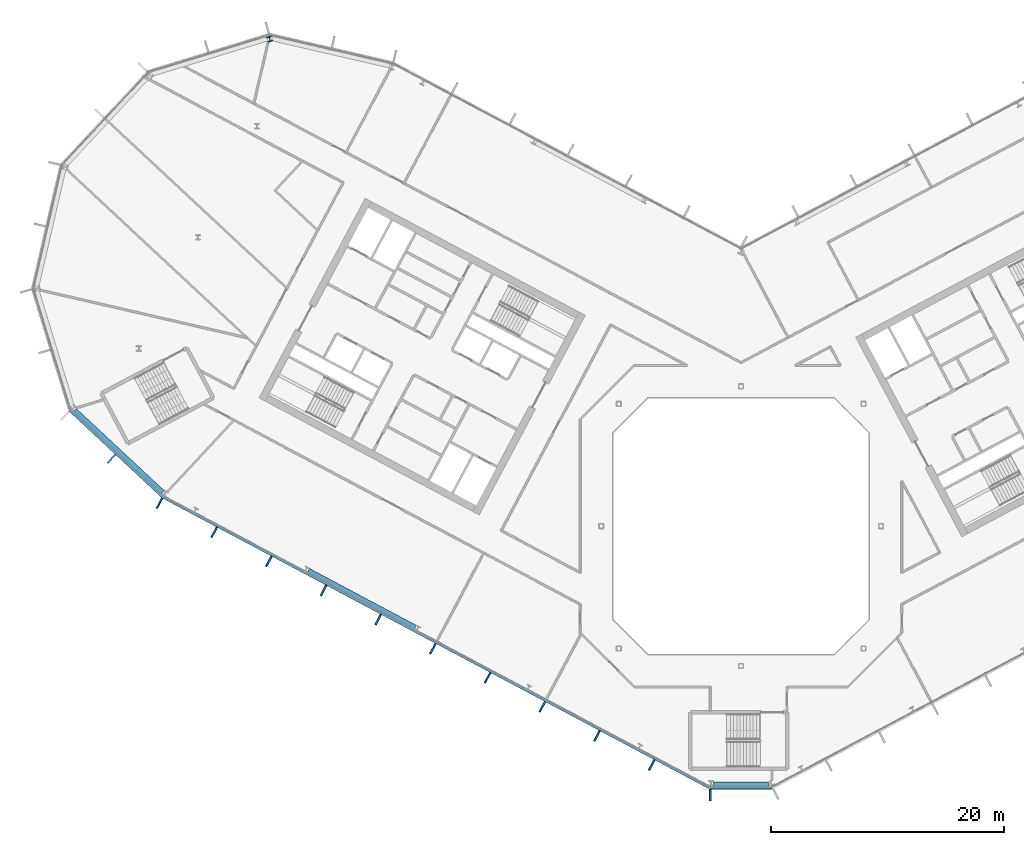
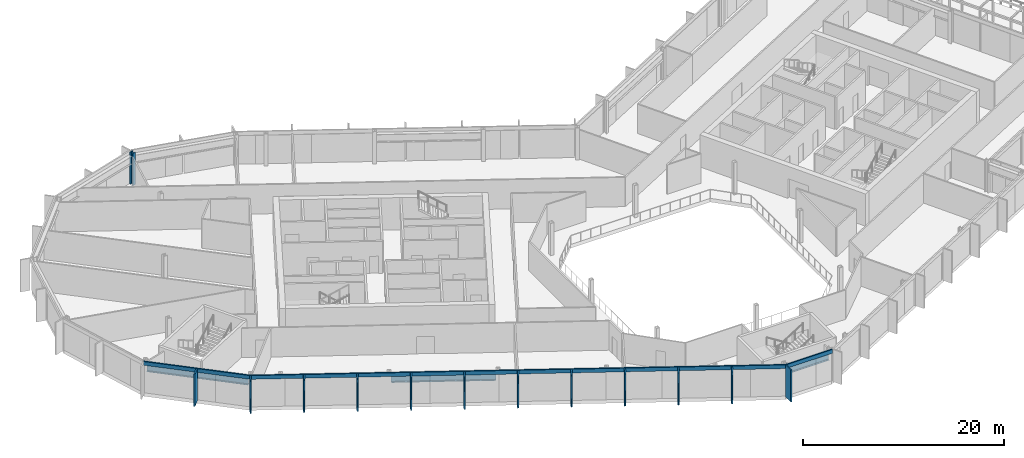
# One storey, part 8 of 31: 15 members, 3 beams, 1 column, 3 elements without a shape of their own.
"""IFC4 building model written with IfcOpenShell, lengths in metres."""

from ifc_helpers import new_model, si_unit, direction, frame, origin, origin_2d, place, context, subcontext, project, spatial, rectangle, i_section, extrude, material, layer, layer_set, material_profile, profile_set, type_object, element, aggregate, save


model = new_model("IFC4")

# Units and contexts
model_context = context("Model", 3, precision=1e-05, world=origin(), true_north=direction((0.0, 1.0)))
body_context = subcontext(model_context, "Body", "Model", "MODEL_VIEW")
ifc_project = project(units=[si_unit("LENGTHUNIT", "METRE"), si_unit("AREAUNIT", "SQUARE_METRE"), si_unit("VOLUMEUNIT", "CUBIC_METRE"), si_unit("PLANEANGLEUNIT", "RADIAN"), si_unit("MASSUNIT", "GRAM", prefix="KILO")], contexts=[model_context])

# Site, building, storey
site_placement = place(None, origin())
site = spatial("IfcSite", under=ifc_project, at=site_placement, CompositionType="ELEMENT")
building_placement = place(site_placement, origin())
building = spatial("IfcBuilding", under=site, at=building_placement, Name="Cormorant Relay Tower", CompositionType="ELEMENT")
storey_placement = place(building_placement, frame((0.0, 0.0, 189.60009765625)))
storey = spatial("IfcBuildingStorey", under=building, at=storey_placement, Name="L40", CompositionType="ELEMENT", Elevation=189.60009765625)

# Column
ifc_material_1 = material(Name="Steel ASTM A992 (Fy 345 MPa)", Category="steel")
ifc_material_profile_1 = material_profile(ifc_material_1, i_section(OverallWidth=0.41162109375, OverallDepth=0.434326171875, WebThickness=0.035888671875, FlangeThickness=0.057373046875, FilletRadius=0.01513671875, at=origin_2d()), Name="W360x463")
ifc_profile_set_1 = profile_set([ifc_material_profile_1], Name="Steel ASTM A992 (Fy 345 MPa)")
column_type = type_object("IfcColumnType", Name="Column W360x463", PredefinedType="COLUMN", material=ifc_profile_set_1)
column_placement = place(storey_placement, frame((-40.455078125, 41.803955078125, 0.0), z_axis=(0.0, 0.0, 1.0), x_axis=(-0.956304755963, -0.292371704723, 0.0)))
element("IfcColumn", 1, at=column_placement, inside=storey, type_object=column_type, Name="Column L40-045", PredefinedType="COLUMN", context=body_context, shape_type="SweptSolid", body=[
    extrude(i_section(OverallWidth=0.41162109375, OverallDepth=0.434326171875, WebThickness=0.035888671875, FlangeThickness=0.057373046875, FilletRadius=0.01513671875, at=origin_2d()), origin(), (0.0, 0.0, 1.0), 3.89990234375),
])

# Curtain wall, member
ifc_material_2 = material(Name="Aluminium 6063-T6 anodised bronze", Category="aluminium")
ifc_layer = layer(ifc_material_2, 0.199951171875)
ifc_layer_set = layer_set([ifc_layer], Name="CW1 unitised bronze curtain wall with vertical fins")
curtain_wall_type = type_object("IfcCurtainWallType", Name="CW1 unitised bronze curtain wall with vertical fins", PredefinedType="NOTDEFINED", material=ifc_layer_set)
curtain_wall_1_placement = place(storey_placement, origin())
curtain_wall_1 = element("IfcCurtainWall", 2, at=curtain_wall_1_placement, inside=storey, type_object=curtain_wall_type, Name="CW1 curtain wall 1", PredefinedType="NOTDEFINED")
ifc_material_3 = material(Name="Aluminium 6063-T6 anodised bronze", Category="aluminium")
ifc_material_profile_2 = material_profile(ifc_material_3, rectangle(XDim=0.14990234375, YDim=1.0, at=origin_2d()), Name="AL 150x1000")
ifc_profile_set_2 = profile_set([ifc_material_profile_2], Name="Aluminium 6063-T6 anodised bronze")
member_type_1 = type_object("IfcMemberType", Name="CW1 bronze fin mullion 150 x 1000", PredefinedType="MULLION", material=ifc_profile_set_2)
member_1_placement = place(storey_placement, frame((-2.648681640625, -23.07568359375, 0.0), z_axis=(0.0, 0.0, 1.0), x_axis=(1.0, 0.0, 0.0)))
member_1 = element("IfcMember", 3, at=member_1_placement, type_object=member_type_1, Name="CW1 fin 1.1", PredefinedType="MULLION", context=body_context, shape_type="SweptSolid", body=[
    extrude(rectangle(XDim=0.14990234375, YDim=1.0, at=origin_2d()), origin(), (0.0, 0.0, 1.0), 3.89990234375),
])

curtain_wall_2_placement = place(storey_placement, origin())
curtain_wall_2 = element("IfcCurtainWall", 4, at=curtain_wall_2_placement, inside=storey, type_object=curtain_wall_type, Name="CW1 curtain wall 15", PredefinedType="NOTDEFINED")
member_2_placement = place(storey_placement, frame((-54.0439453125, 5.779296875, 0.0), z_axis=(0.0, 0.0, 1.0), x_axis=(0.731353701619, -0.681998360062, 0.0)))
member_2 = element("IfcMember", 5, at=member_2_placement, type_object=member_type_1, Name="CW1 fin 15.2", PredefinedType="MULLION", context=body_context, shape_type="SweptSolid", body=[
    extrude(rectangle(XDim=0.14990234375, YDim=1.0, at=origin_2d()), origin(), (0.0, 0.0, 1.0), 3.89990234375),
])

# Curtain wall, members
curtain_wall_3_placement = place(storey_placement, origin())
curtain_wall_3 = element("IfcCurtainWall", 6, at=curtain_wall_3_placement, inside=storey, type_object=curtain_wall_type, Name="CW1 curtain wall 16", PredefinedType="NOTDEFINED")
member_3_placement = place(storey_placement, frame((-49.920166015625, 1.96630859375, 0.0), z_axis=(0.0, 0.0, 1.0), x_axis=(0.882947592859, -0.469471562786, 0.0)))
member_3 = element("IfcMember", 7, at=member_3_placement, type_object=member_type_1, Name="CW1 fin 16.1", PredefinedType="MULLION", context=body_context, shape_type="SweptSolid", body=[
    extrude(rectangle(XDim=0.14990234375, YDim=1.0, at=origin_2d()), origin(), (0.0, 0.0, 1.0), 3.89990234375),
])
member_4_placement = place(storey_placement, frame((-45.225830078125, -0.52978515625, 0.0), z_axis=(0.0, 0.0, 1.0), x_axis=(0.882947592859, -0.469471562786, 0.0)))
member_4 = element("IfcMember", 8, at=member_4_placement, type_object=member_type_1, Name="CW1 fin 16.2", PredefinedType="MULLION", context=body_context, shape_type="SweptSolid", body=[
    extrude(rectangle(XDim=0.14990234375, YDim=1.0, at=origin_2d()), origin(), (0.0, 0.0, 1.0), 3.89990234375),
])
member_5_placement = place(storey_placement, frame((-40.531494140625, -3.025634765625, 0.0), z_axis=(0.0, 0.0, 1.0), x_axis=(0.882947592859, -0.469471562786, 0.0)))
member_5 = element("IfcMember", 9, at=member_5_placement, type_object=member_type_1, Name="CW1 fin 16.3", PredefinedType="MULLION", context=body_context, shape_type="SweptSolid", body=[
    extrude(rectangle(XDim=0.14990234375, YDim=1.0, at=origin_2d()), origin(), (0.0, 0.0, 1.0), 3.89990234375),
])
member_6_placement = place(storey_placement, frame((-35.83740234375, -5.521728515625, 0.0), z_axis=(0.0, 0.0, 1.0), x_axis=(0.882947592859, -0.469471562786, 0.0)))
member_6 = element("IfcMember", 10, at=member_6_placement, type_object=member_type_1, Name="CW1 fin 16.4", PredefinedType="MULLION", context=body_context, shape_type="SweptSolid", body=[
    extrude(rectangle(XDim=0.14990234375, YDim=1.0, at=origin_2d()), origin(), (0.0, 0.0, 1.0), 3.89990234375),
])
member_7_placement = place(storey_placement, frame((-31.14306640625, -8.017578125, 0.0), z_axis=(0.0, 0.0, 1.0), x_axis=(0.882947592859, -0.469471562786, 0.0)))
member_7 = element("IfcMember", 11, at=member_7_placement, type_object=member_type_1, Name="CW1 fin 16.5", PredefinedType="MULLION", context=body_context, shape_type="SweptSolid", body=[
    extrude(rectangle(XDim=0.14990234375, YDim=1.0, at=origin_2d()), origin(), (0.0, 0.0, 1.0), 3.89990234375),
])
member_8_placement = place(storey_placement, frame((-26.44873046875, -10.513671875, 0.0), z_axis=(0.0, 0.0, 1.0), x_axis=(0.882947592859, -0.469471562786, 0.0)))
member_8 = element("IfcMember", 12, at=member_8_placement, type_object=member_type_1, Name="CW1 fin 16.6", PredefinedType="MULLION", context=body_context, shape_type="SweptSolid", body=[
    extrude(rectangle(XDim=0.14990234375, YDim=1.0, at=origin_2d()), origin(), (0.0, 0.0, 1.0), 3.89990234375),
])
member_9_placement = place(storey_placement, frame((-21.754638671875, -13.009765625, 0.0), z_axis=(0.0, 0.0, 1.0), x_axis=(0.882947592859, -0.469471562786, 0.0)))
member_9 = element("IfcMember", 13, at=member_9_placement, type_object=member_type_1, Name="CW1 fin 16.7", PredefinedType="MULLION", context=body_context, shape_type="SweptSolid", body=[
    extrude(rectangle(XDim=0.14990234375, YDim=1.0, at=origin_2d()), origin(), (0.0, 0.0, 1.0), 3.89990234375),
])
member_10_placement = place(storey_placement, frame((-17.060302734375, -15.505615234375, 0.0), z_axis=(0.0, 0.0, 1.0), x_axis=(0.882947592859, -0.469471562786, 0.0)))
member_10 = element("IfcMember", 14, at=member_10_placement, type_object=member_type_1, Name="CW1 fin 16.8", PredefinedType="MULLION", context=body_context, shape_type="SweptSolid", body=[
    extrude(rectangle(XDim=0.14990234375, YDim=1.0, at=origin_2d()), origin(), (0.0, 0.0, 1.0), 3.89990234375),
])
member_11_placement = place(storey_placement, frame((-12.365966796875, -18.001708984375, 0.0), z_axis=(0.0, 0.0, 1.0), x_axis=(0.882947592859, -0.469471562786, 0.0)))
member_11 = element("IfcMember", 15, at=member_11_placement, type_object=member_type_1, Name="CW1 fin 16.9", PredefinedType="MULLION", context=body_context, shape_type="SweptSolid", body=[
    extrude(rectangle(XDim=0.14990234375, YDim=1.0, at=origin_2d()), origin(), (0.0, 0.0, 1.0), 3.89990234375),
])
member_12_placement = place(storey_placement, frame((-7.671630859375, -20.49755859375, 0.0), z_axis=(0.0, 0.0, 1.0), x_axis=(0.882947592859, -0.469471562786, 0.0)))
member_12 = element("IfcMember", 16, at=member_12_placement, type_object=member_type_1, Name="CW1 fin 16.10", PredefinedType="MULLION", context=body_context, shape_type="SweptSolid", body=[
    extrude(rectangle(XDim=0.14990234375, YDim=1.0, at=origin_2d()), origin(), (0.0, 0.0, 1.0), 3.89990234375),
])

# Member
ifc_material_4 = material(Name="Aluminium 6063-T6 anodised bronze", Category="aluminium")
ifc_material_profile_3 = material_profile(ifc_material_4, rectangle(XDim=0.159912109375, YDim=0.449951171875, at=origin_2d()), Name="AL 160x450")
ifc_profile_set_3 = profile_set([ifc_material_profile_3], Name="Aluminium 6063-T6 anodised bronze")
member_type_2 = type_object("IfcMemberType", Name="CW1 bronze transom 160 x 450", PredefinedType="USERDEFINED", material=ifc_profile_set_3)
member_13_placement = place(storey_placement, frame((-2.648681640625, -22.49560546875, 3.6748046875), z_axis=(1.0, 0.0, 0.0), x_axis=(0.0, 1.0, 0.0)))
member_13 = element("IfcMember", 17, at=member_13_placement, type_object=member_type_2, Name="CW1 transom 1", ObjectType="TRANSOM", PredefinedType="USERDEFINED", context=body_context, shape_type="SweptSolid", body=[
    extrude(rectangle(XDim=0.159912109375, YDim=0.449951171875, at=origin_2d()), origin(), (0.0, 0.0, 1.0), 5.29736328125),
])

aggregate(curtain_wall_1, [member_1, member_13])

member_14_placement = place(storey_placement, frame((-57.62353515625, 9.91015625, 3.6748046875), z_axis=(0.731358420696, -0.681993299437, 0.0), x_axis=(0.681993299437, 0.731358420696, 0.0)))
member_14 = element("IfcMember", 18, at=member_14_placement, type_object=member_type_2, Name="CW1 transom 15", ObjectType="TRANSOM", PredefinedType="USERDEFINED", context=body_context, shape_type="SweptSolid", body=[
    extrude(rectangle(XDim=0.159912109375, YDim=0.449951171875, at=origin_2d()), origin(), (0.0, 0.0, 1.0), 10.870361328125),
])

aggregate(curtain_wall_2, [member_2, member_14])

member_15_placement = place(storey_placement, frame((-49.64794921875, 2.478515625, 3.6748046875), z_axis=(0.882947642542, -0.469471469346, 0.0), x_axis=(0.469471469346, 0.882947642542, 0.0)))
member_15 = element("IfcMember", 19, at=member_15_placement, type_object=member_type_2, Name="CW1 transom 16", ObjectType="TRANSOM", PredefinedType="USERDEFINED", context=body_context, shape_type="SweptSolid", body=[
    extrude(rectangle(XDim=0.159912109375, YDim=0.449951171875, at=origin_2d()), origin(), (0.0, 0.0, 1.0), 53.166015625),
])

aggregate(curtain_wall_3, [member_3, member_4, member_5, member_6, member_7, member_8, member_9, member_10, member_11, member_12, member_15])

# Beams
ifc_material_5 = material(Name="Steel ASTM A992 (Fy 345 MPa)", Category="steel")
ifc_material_profile_4 = material_profile(ifc_material_5, i_section(OverallWidth=0.4013671875, OverallDepth=0.990478515625, WebThickness=0.0166015625, FlangeThickness=0.031005859375, FilletRadius=0.030029296875, at=origin_2d()), Name="W1000x320")
ifc_profile_set_4 = profile_set([ifc_material_profile_4], Name="Steel ASTM A992 (Fy 345 MPa)")
beam_type = type_object("IfcBeamType", Name="Spandrel W1000x320", PredefinedType="SPANDREL", material=ifc_profile_set_4)
beam_1_placement = place(storey_placement, frame((-2.3701171875, -22.1748046875, 3.044677734375), z_axis=(1.0, 0.0, 0.0), x_axis=(0.0, 1.0, 0.0)))
element("IfcBeam", 20, at=beam_1_placement, inside=storey, type_object=beam_type, Name="Spandrel beam L40-001", PredefinedType="SPANDREL", context=body_context, shape_type="SweptSolid", body=[
    extrude(i_section(OverallWidth=0.4013671875, OverallDepth=0.990478515625, WebThickness=0.0166015625, FlangeThickness=0.031005859375, FilletRadius=0.030029296875, at=origin_2d()), origin(), (0.0, 0.0, 1.0), 4.761474609375),
])
beam_2_placement = place(storey_placement, frame((-57.19580078125, 9.94970703125, 3.044677734375), z_axis=(0.731351589689, -0.682000624824, 0.0), x_axis=(0.682000624824, 0.731351589689, 0.0)))
element("IfcBeam", 21, at=beam_2_placement, inside=storey, type_object=beam_type, Name="Spandrel beam L40-015", PredefinedType="SPANDREL", context=body_context, shape_type="SweptSolid", body=[
    extrude(i_section(OverallWidth=0.4013671875, OverallDepth=0.990478515625, WebThickness=0.0166015625, FlangeThickness=0.031005859375, FilletRadius=0.030029296875, at=origin_2d()), origin(), (0.0, 0.0, 1.0), 10.354248046875),
])
beam_3_placement = place(storey_placement, frame((-37.134033203125, -3.812255859375, 3.044677734375), z_axis=(0.882949648898, -0.469467695918, 0.0), x_axis=(0.469467695918, 0.882949648898, 0.0)))
element("IfcBeam", 22, at=beam_3_placement, inside=storey, type_object=beam_type, Name="Spandrel beam L40-016", PredefinedType="SPANDREL", context=body_context, shape_type="SweptSolid", body=[
    extrude(i_section(OverallWidth=0.4013671875, OverallDepth=0.990478515625, WebThickness=0.0166015625, FlangeThickness=0.031005859375, FilletRadius=0.030029296875, at=origin_2d()), origin(), (0.0, 0.0, 1.0), 10.39599609375),
])

save(model, "model.ifc")
